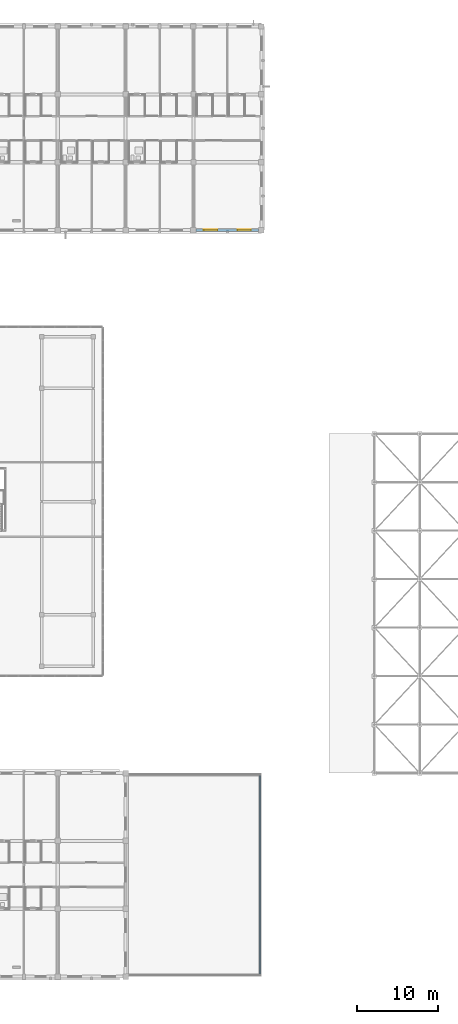
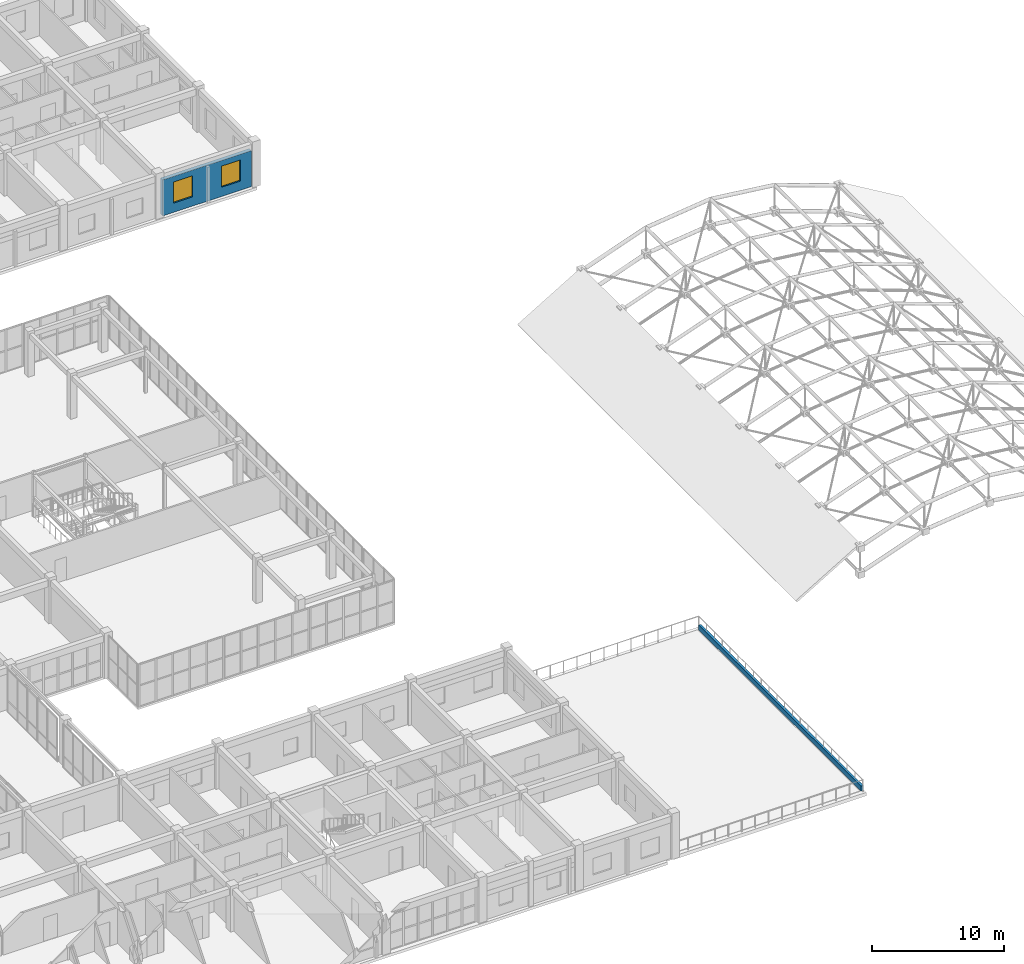
# One storey, part 124 of 140: 2 walls, 2 windows, 2 openings.
"""IFC4 building model written with IfcOpenShell, lengths in metres."""

from ifc_helpers import new_model, si_unit, direction, frame, frame_2d, origin, place, context, subcontext, project, spatial, rectangle, extrude, material, layer, layer_set, type_object, element, fill, save


model = new_model("IFC4")

# Units and contexts
model_context = context("Model", 3, precision=1e-05, world=origin(), true_north=direction((0.0, 1.0)))
body_context = subcontext(model_context, "Body", "Model", "MODEL_VIEW")
ifc_project = project(units=[si_unit("LENGTHUNIT", "METRE"), si_unit("AREAUNIT", "SQUARE_METRE"), si_unit("VOLUMEUNIT", "CUBIC_METRE"), si_unit("PLANEANGLEUNIT", "RADIAN"), si_unit("MASSUNIT", "GRAM", prefix="KILO")], contexts=[model_context])

# Site, building, storey
site_placement = place(None, origin())
site = spatial("IfcSite", under=ifc_project, at=site_placement, CompositionType="ELEMENT")
building_placement = place(site_placement, origin())
building = spatial("IfcBuilding", under=site, at=building_placement, Name="Trelvath General Hospital", CompositionType="ELEMENT")
storey_placement = place(building_placement, frame((0.0, 0.0, 16.199951171875)))
storey = spatial("IfcBuildingStorey", under=building, at=storey_placement, Name="L04", CompositionType="ELEMENT", Elevation=16.199951171875)

# Wall, openings, windows
ifc_material_1 = material(Name="Concrete C35/45", Category="concrete")
ifc_layer_1 = layer(ifc_material_1, 0.320068359375)
ifc_layer_set_1 = layer_set([ifc_layer_1], Name="Concrete C35/45")
wall_type_1 = type_object("IfcWallType", Name="ExtThermalWall 320", PredefinedType="SOLIDWALL", material=ifc_layer_set_1)
wall_1_placement = place(storey_placement, frame((134.06494140625, 92.39990234375, 0.0), z_axis=(0.0, 0.0, 1.0), x_axis=(-1.0, 0.0, 0.0)))
wall_1 = element("IfcWall", 1, at=wall_1_placement, inside=storey, type_object=wall_type_1, Name="Exterior Concrete Wall L04-483", PredefinedType="SOLIDWALL", context=body_context, shape_type="SweptSolid", body=[
    extrude(rectangle(XDim=7.72998046875, YDim=0.320068359375, at=frame_2d((3.864990234375, 0.0))), origin(), (0.0, 0.0, 1.0), 3.320068359375),
])
opening_1_placement = place(wall_1_placement, frame((0.947998046875, 0.0, 0.85009765625)))
opening_1 = element("IfcOpeningElement", 2, at=opening_1_placement, cuts=wall_1, Name="Opening WN-4-793", PredefinedType="OPENING", context=body_context, shape_type="SweptSolid", body=[
    extrude(rectangle(XDim=1.659912109375, YDim=1.949951171875, at=frame_2d((0.830078125, 0.97509765625))), frame((0.0, 0.169921875, 0.0), z_axis=(0.0, -1.0, 0.0), x_axis=(1.0, 0.0, 0.0)), (0.0, 0.0, 1.0), 0.340087890625),
])
opening_2_placement = place(wall_1_placement, frame((5.1220703125, 0.0, 0.85009765625)))
opening_2 = element("IfcOpeningElement", 3, at=opening_2_placement, cuts=wall_1, Name="Opening WN-4-794", PredefinedType="OPENING", context=body_context, shape_type="SweptSolid", body=[
    extrude(rectangle(XDim=1.659912109375, YDim=1.949951171875, at=frame_2d((0.830078125, 0.97509765625))), frame((0.0, 0.169921875, 0.0), z_axis=(0.0, -1.0, 0.0), x_axis=(1.0, 0.0, 0.0)), (0.0, 0.0, 1.0), 0.340087890625),
])
ifc_material_2 = material(Name="Low-E laminated glass", Category="glass")
window_type = type_object("IfcWindowType", Name="Window Dayroom 1660x1950", PartitioningType="DOUBLE_PANEL_VERTICAL", PredefinedType="WINDOW", material=ifc_material_2)
window_1_placement = place(opening_1_placement, origin())
window_1 = element("IfcWindow", 4, at=window_1_placement, inside=storey, type_object=window_type, Name="Solar Reveal Window L04-793", OverallHeight=1.949951171875, OverallWidth=1.659912109375, PartitioningType="SINGLE_PANEL", PredefinedType="WINDOW", context=body_context, shape_type="SweptSolid", body=[
    extrude(rectangle(XDim=1.659912109375, YDim=1.949951171875, at=frame_2d((0.830078125, 0.97509765625))), frame((0.0, 0.030029296875, 0.0), z_axis=(0.0, -1.0, 0.0), x_axis=(1.0, 0.0, 0.0)), (0.0, 0.0, 1.0), 0.06005859375),
])
fill(opening_1, window_1)
window_2_placement = place(opening_2_placement, origin())
window_2 = element("IfcWindow", 5, at=window_2_placement, inside=storey, type_object=window_type, Name="Solar Reveal Window L04-794", OverallHeight=1.949951171875, OverallWidth=1.659912109375, PartitioningType="SINGLE_PANEL", PredefinedType="WINDOW", context=body_context, shape_type="SweptSolid", body=[
    extrude(rectangle(XDim=1.659912109375, YDim=1.949951171875, at=frame_2d((0.830078125, 0.97509765625))), frame((0.0, 0.030029296875, 0.0), z_axis=(0.0, -1.0, 0.0), x_axis=(1.0, 0.0, 0.0)), (0.0, 0.0, 1.0), 0.06005859375),
])
fill(opening_2, window_2)

# Wall
ifc_material_3 = material(Name="Concrete C35/45", Category="concrete")
ifc_layer_2 = layer(ifc_material_3, 0.2099609375)
ifc_layer_set_2 = layer_set([ifc_layer_2], Name="Concrete C35/45")
wall_type_2 = type_object("IfcWallType", Name="TerraceParapet 210", PredefinedType="PARAPET", material=ifc_layer_set_2)
wall_2_placement = place(storey_placement, frame((134.25, 0.35009765625, 0.0), z_axis=(0.0, 0.0, 1.0), x_axis=(0.0, 1.0, 0.0)))
element("IfcWall", 6, at=wall_2_placement, inside=storey, type_object=wall_type_2, Name="Terrace Planter Upstand TERR-SW-E4", PredefinedType="PARAPET", context=body_context, shape_type="SweptSolid", body=[
    extrude(rectangle(XDim=24.5, YDim=0.2099609375, at=frame_2d((12.25, 0.0))), origin(), (0.0, 0.0, 1.0), 0.449951171875),
])

save(model, "model.ifc")
